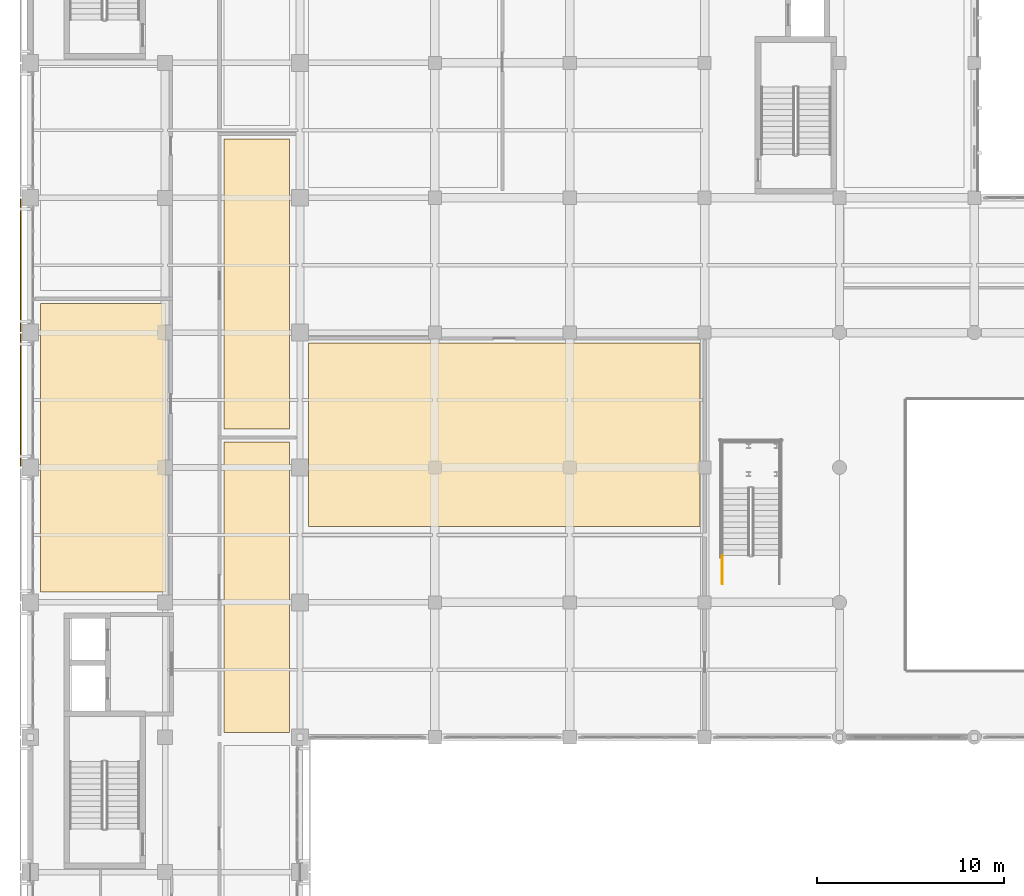
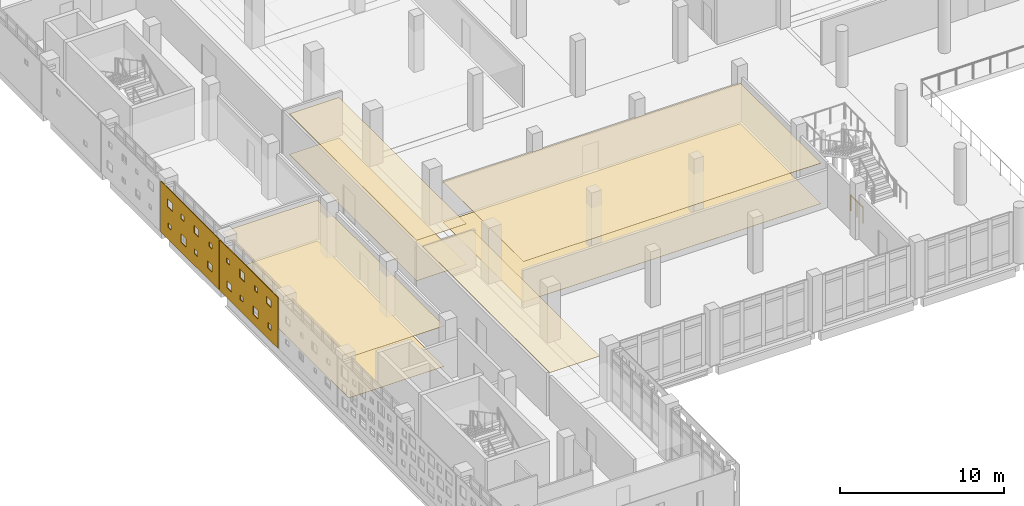
# One storey, part 48 of 57: 9 coverings, 1 railing.
"""IFC4 building model written with IfcOpenShell, lengths in metres."""

import ifcopenshell
import ifcopenshell.guid

model = None  # the IFC model being written
_history = None  # IfcOwnerHistory: only IFC2X3 demands one
_inside = {}  # id of a spatial element -> (the spatial element, [elements in it])
_under = {}  # id of a project, library or spatial element -> (it, [spatial elements below it])
_declared = {}  # id of a project -> (the project, [libraries it declares])
_typed = {}  # id of a type object -> (the type object, [elements of that type])
_made_of = {}  # id of a material, layer set ... -> (it, [elements and type objects made of it])


def new_model(schema):
    """Start an empty IFC model of exactly this schema.

    Asked for "IFC4X3", IfcOpenShell would pick the latest addendum, in which some entities
    have other attributes; the version numbers below select the first issue.
    IFC2X3 requires an IfcOwnerHistory on every rooted entity: one is made here for all.
    """
    global model, _history
    if schema == "IFC4X3":
        model = ifcopenshell.file(schema_version=(4, 3, 0, 0))
    else:
        model = ifcopenshell.file(schema=schema)
    _inside.clear()
    _under.clear()
    _declared.clear()
    _typed.clear()
    _made_of.clear()
    _history = None
    if model.schema == "IFC2X3":
        org = make("IfcOrganization", Name="unknown")
        user = make(
            "IfcPersonAndOrganization",
            ThePerson=make("IfcPerson", FamilyName="unknown"),
            TheOrganization=org,
        )
        app = make(
            "IfcApplication",
            ApplicationDeveloper=org,
            Version="unknown",
            ApplicationFullName="unknown",
            ApplicationIdentifier="unknown",
        )
        _history = make(
            "IfcOwnerHistory",
            OwningUser=user,
            OwningApplication=app,
            ChangeAction="ADDED",
            CreationDate=0,
        )
    return model


def make(cls, **values):
    """One entity of the class cls with the attributes given. An attribute that is None is left unset."""
    return model.create_entity(
        cls, **{name: value for name, value in values.items() if value is not None}
    )


def rooted(cls, **values):
    """An entity with a GlobalId (a new one), such as an element, a storey or a relation."""
    return make(cls, GlobalId=ifcopenshell.guid.new(), OwnerHistory=_history, **values)


def si_unit(unit_type, name, prefix=None):
    """IfcSIUnit, for example si_unit("LENGTHUNIT", "METRE", prefix="MILLI")."""
    return make("IfcSIUnit", UnitType=unit_type, Prefix=prefix, Name=name)


def assignment(units):
    """IfcUnitAssignment: the units of a project."""
    return None if units is None else make("IfcUnitAssignment", Units=units)


def point(xyz):
    """IfcCartesianPoint."""
    return None if xyz is None else make("IfcCartesianPoint", Coordinates=xyz)


def direction(xyz):
    """IfcDirection."""
    return None if xyz is None else make("IfcDirection", DirectionRatios=xyz)


def frame(location, z_axis=None, x_axis=None):
    """IfcAxis2Placement3D, a coordinate frame: its origin and axes. An axis left out is left unset."""
    return make(
        "IfcAxis2Placement3D",
        Location=point(location),
        Axis=direction(z_axis),
        RefDirection=direction(x_axis),
    )


def frame_2d(location, x_axis=None):
    """IfcAxis2Placement2D, a coordinate frame in the plane: its origin and x axis."""
    return make(
        "IfcAxis2Placement2D", Location=point(location), RefDirection=direction(x_axis)
    )


def origin():
    """The frame at (0, 0, 0) with its axes left unset."""
    return frame((0.0, 0.0, 0.0))


def origin_2d():
    """The frame at (0, 0) in the plane with its x axis left unset."""
    return frame_2d((0.0, 0.0))


def place(relative_to, where):
    """IfcLocalPlacement: puts the frame where relative to a parent placement (None: the world)."""
    return make(
        "IfcLocalPlacement", PlacementRelTo=relative_to, RelativePlacement=where
    )


def context(
    kind, dimensions, precision=None, world=None, true_north=None, identifier=None
):
    """IfcGeometricRepresentationContext, for example the 3D "Model" context."""
    return make(
        "IfcGeometricRepresentationContext",
        ContextIdentifier=identifier,
        ContextType=kind,
        CoordinateSpaceDimension=dimensions,
        Precision=precision,
        WorldCoordinateSystem=world,
        TrueNorth=true_north,
    )


def subcontext(parent, identifier, kind, view, scale=None):
    """IfcGeometricRepresentationSubContext, for example "Body" below "Model"."""
    return make(
        "IfcGeometricRepresentationSubContext",
        ContextIdentifier=identifier,
        ContextType=kind,
        ParentContext=parent,
        TargetScale=scale,
        TargetView=view,
    )


def project(units=None, contexts=None):
    """IfcProject with its units and contexts."""
    return rooted(
        "IfcProject",
        Name="project",
        RepresentationContexts=contexts,
        UnitsInContext=assignment(units),
    )


def spatial(cls, under=None, at=None, **own):
    """A site, building, storey or space (cls), placed at a placement, below another one or the project."""
    s = rooted(cls, ObjectPlacement=at, **own)
    if under is not None:
        _under.setdefault(under.id(), (under, []))[1].append(s)
    return s


def polyline(points):
    """IfcPolyline through the points."""
    return make("IfcPolyline", Points=[point(p) for p in points])


def profile(cls, at=None, kind="AREA", **sizes):
    """A parametric profile (cls). Its sizes go by their IFC names, for example OverallWidth=200.0."""
    return make(cls, ProfileType=kind, Position=at, **sizes)


def circle(**sizes):
    """IfcCircleProfileDef."""
    return profile("IfcCircleProfileDef", **sizes)


def outline(outer, holes=None, kind="AREA"):
    """IfcArbitraryClosedProfileDef: a profile drawn as a closed curve; with holes, ...WithVoids."""
    if holes is None:
        return make("IfcArbitraryClosedProfileDef", ProfileType=kind, OuterCurve=outer)
    return make(
        "IfcArbitraryProfileDefWithVoids",
        ProfileType=kind,
        OuterCurve=outer,
        InnerCurves=holes,
    )


def extrude(swept, where, along, depth):
    """IfcExtrudedAreaSolid: the profile swept, set in the frame where, extruded along a direction by depth."""
    return make(
        "IfcExtrudedAreaSolid",
        SweptArea=swept,
        Position=where,
        ExtrudedDirection=direction(along),
        Depth=depth,
    )


def shape(context_of_items, identifier, shape_type, items):
    """IfcShapeRepresentation: the items that make up one representation, for example the "Body"."""
    return make(
        "IfcShapeRepresentation",
        ContextOfItems=context_of_items,
        RepresentationIdentifier=identifier,
        RepresentationType=shape_type,
        Items=items,
    )


def material(Name=None, Category=None):
    """IfcMaterial."""
    return make("IfcMaterial", Name=Name, Category=Category)


def layer(
    of_material, thickness, ventilated=None, Name=None, Category=None, Priority=None
):
    """IfcMaterialLayer: one layer of a wall or slab, of a material (None: an air gap)."""
    return make(
        "IfcMaterialLayer",
        Material=of_material,
        LayerThickness=thickness,
        IsVentilated=ventilated,
        Name=Name,
        Category=Category,
        Priority=Priority,
    )


def layer_set(layers, Name=None):
    """IfcMaterialLayerSet."""
    return make("IfcMaterialLayerSet", MaterialLayers=layers, LayerSetName=Name)


def made_of(thing, what):
    """Note that an element or type object is made of a material, layer set ...; save() writes the relation."""
    if what is not None:
        _made_of.setdefault(what.id(), (what, []))[1].append(thing)
    return thing


def type_object(cls, material=None, **own):
    """A type object (cls), such as IfcWallType, which elements share."""
    return made_of(rooted(cls, **own), material)


def element(
    cls,
    number,
    at=None,
    inside=None,
    cuts=None,
    type_object=None,
    material=None,
    context=None,
    identifier="Body",
    shape_type=None,
    held_by="IfcProductDefinitionShape",
    body=None,
    shapes=None,
    **own,
):
    """One element of the class cls, such as IfcWall. Its Tag is "e" and its number.

    at: its placement. inside: the storey or other place that contains it. cuts: it is an
    opening in that element (IfcRelVoidsElement). A single representation is given by context,
    identifier, shape_type and body (its items); several are given by shapes. held_by: the class
    of the entity that holds the representations. save() writes the other relations.
    """
    e = rooted(cls, Tag="e%d" % number, ObjectPlacement=at, **own)
    if body is not None:
        shapes = [shape(context, identifier, shape_type, body)]
    if shapes is not None:
        e.Representation = make(held_by, Representations=shapes)
    if inside is not None:
        _inside.setdefault(inside.id(), (inside, []))[1].append(e)
    if cuts is not None:
        rooted(
            "IfcRelVoidsElement", RelatingBuildingElement=cuts, RelatedOpeningElement=e
        )
    if type_object is not None:
        _typed.setdefault(type_object.id(), (type_object, []))[1].append(e)
    return made_of(e, material)


def aggregate(whole, parts):
    """IfcRelAggregates: a whole, such as a stair, and the parts it consists of."""
    return rooted("IfcRelAggregates", RelatingObject=whole, RelatedObjects=parts)


def save(model, path):
    """Write the relations noted so far, then the file.

    IfcRelAggregates (storeys below a building ...), IfcRelContainedInSpatialStructure (elements
    in a storey), IfcRelDefinesByType, IfcRelAssociatesMaterial and IfcRelDeclares: one each for
    every whole, place, type object, material and project.
    """
    for whole, parts in _under.values():
        aggregate(whole, parts)
    for where, things in _inside.values():
        rooted(
            "IfcRelContainedInSpatialStructure",
            RelatedElements=things,
            RelatingStructure=where,
        )
    for kind, things in _typed.values():
        rooted("IfcRelDefinesByType", RelatedObjects=things, RelatingType=kind)
    for what, things in _made_of.values():
        rooted("IfcRelAssociatesMaterial", RelatedObjects=things, RelatingMaterial=what)
    for by, libraries in _declared.values():
        rooted("IfcRelDeclares", RelatingContext=by, RelatedDefinitions=libraries)
    model.write(path)


model = new_model("IFC4")

# Units and contexts
model_context = context("Model", 3, precision=1e-05, world=origin(), true_north=direction((0.0, 1.0)))
body_context = subcontext(model_context, "Body", "Model", "MODEL_VIEW")
ifc_project = project(units=[si_unit("LENGTHUNIT", "METRE"), si_unit("AREAUNIT", "SQUARE_METRE"), si_unit("VOLUMEUNIT", "CUBIC_METRE"), si_unit("PLANEANGLEUNIT", "RADIAN"), si_unit("MASSUNIT", "GRAM", prefix="KILO")], contexts=[model_context])

# Site, building, storey
site_placement = place(None, origin())
site = spatial("IfcSite", under=ifc_project, at=site_placement, CompositionType="ELEMENT")
building_placement = place(site_placement, origin())
building = spatial("IfcBuilding", under=site, at=building_placement, Name="Valkovuoma Quantum and Materials Research Institute", CompositionType="ELEMENT")
storey_placement = place(building_placement, frame((0.0, 0.0, 4.800048828125)))
storey = spatial("IfcBuildingStorey", under=building, at=storey_placement, Name="L01", CompositionType="ELEMENT", Elevation=4.800048828125)

# Coverings
ifc_material_1 = material(Name="Cleanable acoustic mineral-fibre suspended ceiling", Category="masonry")
ifc_layer_1 = layer(ifc_material_1, 0.02490234375)
ifc_layer_set_1 = layer_set([ifc_layer_1], Name="Cleanable acoustic mineral-fibre suspended ceiling")
covering_type_1 = type_object("IfcCoveringType", Name="Cov-CEIL-01", PredefinedType="CEILING", material=ifc_layer_set_1)
covering_1_placement = place(storey_placement, frame((0.0, 0.0, 3.0)))
element("IfcCovering", 1, at=covering_1_placement, inside=storey, type_object=covering_type_1, Name="L01 acoustic ceiling 0026", PredefinedType="CEILING", context=body_context, shape_type="SweptSolid", body=[
    extrude(outline(polyline([(0.550048828125, 43.75), (7.25, 43.75), (7.25, 59.14990234375), (0.550048828125, 59.14990234375), (0.550048828125, 43.75)])), origin(), (0.0, 0.0, 1.0), 0.02490234375),
])
covering_2_placement = place(storey_placement, frame((0.0, 0.0, 3.0)))
element("IfcCovering", 2, at=covering_2_placement, inside=storey, type_object=covering_type_1, Name="L01 acoustic ceiling 0030", PredefinedType="CEILING", context=body_context, shape_type="SweptSolid", body=[
    extrude(outline(polyline([(10.35009765625, 36.25), (13.85009765625, 36.25), (13.85009765625, 51.75), (10.35009765625, 51.75), (10.35009765625, 36.25)])), origin(), (0.0, 0.0, 1.0), 0.02490234375),
])
covering_3_placement = place(storey_placement, frame((0.0, 0.0, 3.0)))
element("IfcCovering", 3, at=covering_3_placement, inside=storey, type_object=covering_type_1, Name="L01 acoustic ceiling 0031", PredefinedType="CEILING", context=body_context, shape_type="SweptSolid", body=[
    extrude(outline(polyline([(10.35009765625, 52.449951171875), (13.85009765625, 52.449951171875), (13.85009765625, 67.949951171875), (10.35009765625, 67.949951171875), (10.35009765625, 52.449951171875)])), origin(), (0.0, 0.0, 1.0), 0.02490234375),
])
covering_4_placement = place(storey_placement, frame((0.0, 0.0, 3.0)))
element("IfcCovering", 4, at=covering_4_placement, inside=storey, type_object=covering_type_1, Name="L01 acoustic ceiling 0036", PredefinedType="CEILING", context=body_context, shape_type="SweptSolid", body=[
    extrude(outline(polyline([(14.85009765625, 47.25), (35.75, 47.25), (35.75, 57.050048828125), (14.85009765625, 57.050048828125), (14.85009765625, 47.25)])), origin(), (0.0, 0.0, 1.0), 0.02490234375),
])
ifc_material_2 = material(Name="Seamless dissipative laboratory resin flooring", Category="masonry")
ifc_layer_2 = layer(ifc_material_2, 0.014892578125)
ifc_layer_set_2 = layer_set([ifc_layer_2], Name="Seamless dissipative laboratory resin flooring")
covering_type_2 = type_object("IfcCoveringType", Name="Cov-FLOR-01", PredefinedType="FLOORING", material=ifc_layer_set_2)
covering_5_placement = place(storey_placement, origin())
element("IfcCovering", 5, at=covering_5_placement, inside=storey, type_object=covering_type_2, Name="L01 resin flooring 0026", PredefinedType="FLOORING", context=body_context, shape_type="SweptSolid", body=[
    extrude(outline(polyline([(0.550048828125, 43.75), (7.25, 43.75), (7.25, 59.14990234375), (0.550048828125, 59.14990234375), (0.550048828125, 43.75)])), origin(), (0.0, 0.0, 1.0), 0.014892578125),
])
covering_6_placement = place(storey_placement, origin())
element("IfcCovering", 6, at=covering_6_placement, inside=storey, type_object=covering_type_2, Name="L01 resin flooring 0031", PredefinedType="FLOORING", context=body_context, shape_type="SweptSolid", body=[
    extrude(outline(polyline([(10.35009765625, 52.449951171875), (13.85009765625, 52.449951171875), (13.85009765625, 67.949951171875), (10.35009765625, 67.949951171875), (10.35009765625, 52.449951171875)])), origin(), (0.0, 0.0, 1.0), 0.014892578125),
])
covering_7_placement = place(storey_placement, origin())
element("IfcCovering", 7, at=covering_7_placement, inside=storey, type_object=covering_type_2, Name="L01 resin flooring 0036", PredefinedType="FLOORING", context=body_context, shape_type="SweptSolid", body=[
    extrude(outline(polyline([(14.85009765625, 47.25), (35.75, 47.25), (35.75, 57.050048828125), (14.85009765625, 57.050048828125), (14.85009765625, 47.25)])), origin(), (0.0, 0.0, 1.0), 0.014892578125),
])
ifc_material_3 = material(Name="White powder-coated aluminium architectural panel", Category="aluminium")
ifc_layer_3 = layer(ifc_material_3, 0.054931640625)
ifc_layer_set_3 = layer_set([ifc_layer_3], Name="White powder-coated aluminium architectural panel")
covering_type_3 = type_object("IfcCoveringType", Name="Cov-PERF-MID", PredefinedType="CLADDING", material=ifc_layer_set_3)
covering_8_placement = place(storey_placement, frame((-0.52001953125, 50.4599609375, 0.02001953125), z_axis=(0.0, 0.0, 1.0), x_axis=(0.0, 1.0, 0.0)))
element("IfcCovering", 8, at=covering_8_placement, inside=storey, type_object=covering_type_3, Name="L01 graduated perforated white screen W-0007", PredefinedType="CLADDING", context=body_context, shape_type="SweptSolid", body=[
    extrude(outline(polyline([(0.0, 0.0), (7.080078125, 0.0), (7.080078125, 3.77001953125), (0.0, 3.77001953125), (0.0, 0.0)]), holes=[polyline([(0.822509765625, 0.8125), (0.822509765625, 1.1923828125), (1.202392578125, 1.1923828125), (1.202392578125, 0.8125), (0.822509765625, 0.8125)]), polyline([(0.862548828125, 2.49755859375), (0.862548828125, 3.03759765625), (1.402587890625, 3.03759765625), (1.402587890625, 2.49755859375), (0.862548828125, 2.49755859375)]), polyline([(2.407470703125, 0.6923828125), (2.407470703125, 1.3125), (3.027587890625, 1.3125), (3.027587890625, 0.6923828125), (2.407470703125, 0.6923828125)]), polyline([(2.467529296875, 2.577392578125), (2.467529296875, 2.95751953125), (2.847412109375, 2.95751953125), (2.847412109375, 2.577392578125), (2.467529296875, 2.577392578125)]), polyline([(4.25244140625, 0.83251953125), (4.25244140625, 1.172607421875), (4.592529296875, 1.172607421875), (4.592529296875, 0.83251953125), (4.25244140625, 0.83251953125)]), polyline([(4.052490234375, 2.45751953125), (4.052490234375, 3.077392578125), (4.672607421875, 3.077392578125), (4.672607421875, 2.45751953125), (4.052490234375, 2.45751953125)]), polyline([(5.677490234375, 0.732421875), (5.677490234375, 1.2724609375), (6.217529296875, 1.2724609375), (6.217529296875, 0.732421875), (5.677490234375, 0.732421875)]), polyline([(5.8974609375, 2.597412109375), (5.8974609375, 2.9375), (6.237548828125, 2.9375), (6.237548828125, 2.597412109375), (5.8974609375, 2.597412109375)])]), frame((0.0, 0.02734375, 0.0), z_axis=(0.0, -1.0, 0.0), x_axis=(1.0, 0.0, 0.0)), (0.0, 0.0, 1.0), 0.054931640625),
])
covering_9_placement = place(storey_placement, frame((-0.52001953125, 57.659912109375, 0.02001953125), z_axis=(0.0, 0.0, 1.0), x_axis=(0.0, 1.0, 0.0)))
element("IfcCovering", 9, at=covering_9_placement, inside=storey, type_object=covering_type_3, Name="L01 graduated perforated white screen W-0008", PredefinedType="CLADDING", context=body_context, shape_type="SweptSolid", body=[
    extrude(outline(polyline([(0.0, 0.0), (7.080078125, 0.0), (7.080078125, 3.77001953125), (0.0, 3.77001953125), (0.0, 0.0)]), holes=[polyline([(0.802490234375, 0.782470703125), (0.802490234375, 1.322509765625), (1.342529296875, 1.322509765625), (1.342529296875, 0.782470703125), (0.802490234375, 0.782470703125)]), polyline([(0.842529296875, 2.49755859375), (0.842529296875, 2.83740234375), (1.1826171875, 2.83740234375), (1.1826171875, 2.49755859375), (0.842529296875, 2.49755859375)]), polyline([(2.58740234375, 0.862548828125), (2.58740234375, 1.242431640625), (2.967529296875, 1.242431640625), (2.967529296875, 0.862548828125), (2.58740234375, 0.862548828125)]), polyline([(2.447509765625, 2.3974609375), (2.447509765625, 2.9375), (2.987548828125, 2.9375), (2.987548828125, 2.3974609375), (2.447509765625, 2.3974609375)]), polyline([(3.992431640625, 0.742431640625), (3.992431640625, 1.362548828125), (4.612548828125, 1.362548828125), (4.612548828125, 0.742431640625), (3.992431640625, 0.742431640625)]), polyline([(4.232421875, 2.4775390625), (4.232421875, 2.857421875), (4.612548828125, 2.857421875), (4.612548828125, 2.4775390625), (4.232421875, 2.4775390625)]), polyline([(5.83740234375, 0.882568359375), (5.83740234375, 1.222412109375), (6.177490234375, 1.222412109375), (6.177490234375, 0.882568359375), (5.83740234375, 0.882568359375)]), polyline([(5.637451171875, 2.357421875), (5.637451171875, 2.9775390625), (6.257568359375, 2.9775390625), (6.257568359375, 2.357421875), (5.637451171875, 2.357421875)])]), frame((0.0, 0.02734375, 0.0), z_axis=(0.0, -1.0, 0.0), x_axis=(1.0, 0.0, 0.0)), (0.0, 0.0, 1.0), 0.054931640625),
])

# Railing
ifc_material_4 = material(Name="Painted steel stair balustrade", Category="steel")
railing_type = type_object("IfcRailingType", Name="Rail-GRD-ST", PredefinedType="BALUSTRADE", material=ifc_material_4)
railing_placement = place(storey_placement, frame((36.949951171875, 44.199951171875, 0.0)))
element("IfcRailing", 10, at=railing_placement, inside=storey, type_object=railing_type, Name="L01 ST-5 stair guard 9", PredefinedType="BALUSTRADE", context=body_context, shape_type="SweptSolid", body=[
    extrude(circle(Radius=0.02392578125, at=origin_2d()), frame((0.0, 0.0, 1.17578125), z_axis=(0.0, 1.0, 0.0), x_axis=(-1.0, 0.0, 0.0)), (0.0, 0.0, 1.0), 1.5),
    extrude(circle(Radius=0.02099609375, at=origin_2d()), origin(), (0.0, 0.0, 1.0), 1.15185546875),
    extrude(circle(Radius=0.02099609375, at=origin_2d()), frame((0.0, 0.75, 0.0)), (0.0, 0.0, 1.0), 1.15185546875),
    extrude(circle(Radius=0.02099609375, at=origin_2d()), frame((0.0, 1.5, 0.0)), (0.0, 0.0, 1.0), 1.15185546875),
])

save(model, "model.ifc")
